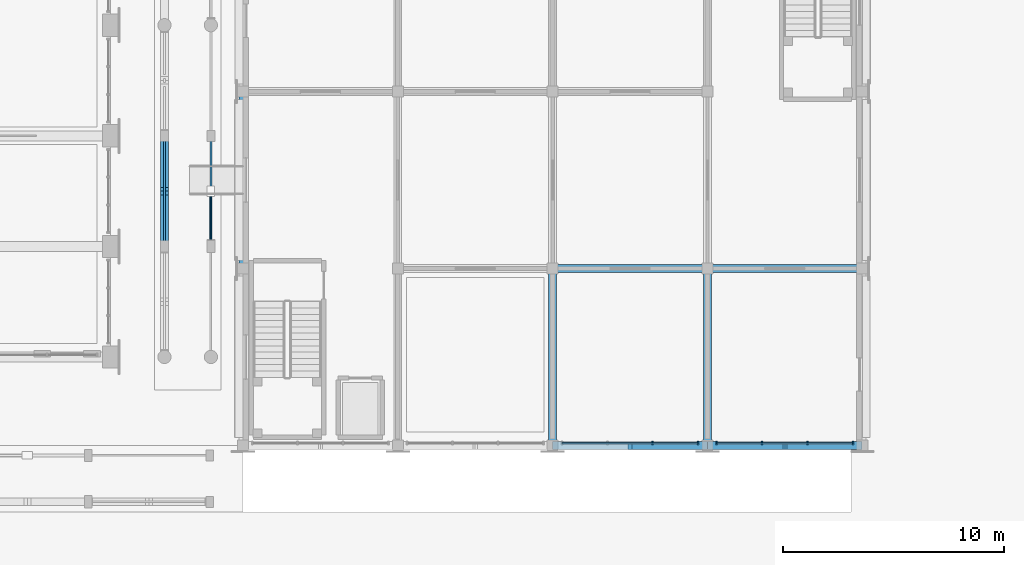
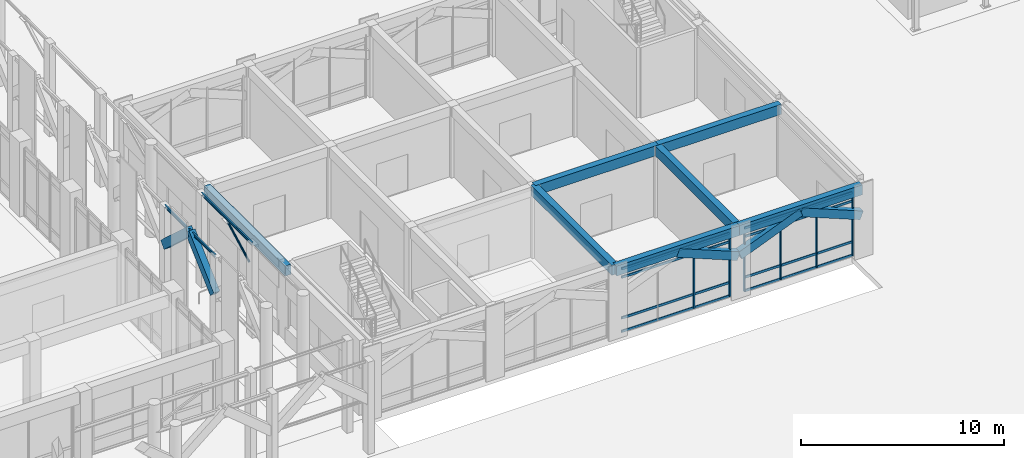
# One storey, part 30 of 135: 15 members, 14 beams, 2 elements without a shape of their own.
"""IFC4 building model written with IfcOpenShell, lengths in metres."""

from ifc_helpers import new_model, si_unit, direction, frame, origin, origin_2d, place, context, subcontext, project, spatial, rectangle, hollow_circle, i_section, extrude, material, material_profile, profile_set, type_object, element, aggregate, save


model = new_model("IFC4")

# Units and contexts
model_context = context("Model", 3, precision=1e-05, world=origin(), true_north=direction((0.0, 1.0)))
body_context = subcontext(model_context, "Body", "Model", "MODEL_VIEW")
ifc_project = project(units=[si_unit("LENGTHUNIT", "METRE"), si_unit("AREAUNIT", "SQUARE_METRE"), si_unit("VOLUMEUNIT", "CUBIC_METRE"), si_unit("PLANEANGLEUNIT", "RADIAN"), si_unit("MASSUNIT", "GRAM", prefix="KILO")], contexts=[model_context])

# Site, building, storey
site_placement = place(None, origin())
site = spatial("IfcSite", under=ifc_project, at=site_placement, CompositionType="ELEMENT")
building_placement = place(site_placement, origin())
building = spatial("IfcBuilding", under=site, at=building_placement, Name="Kiranvali Square Residences", CompositionType="ELEMENT")
storey_placement = place(building_placement, origin())
storey = spatial("IfcBuildingStorey", under=building, at=storey_placement, Name="L00", CompositionType="ELEMENT", Elevation=0.0)

# Beams
ifc_material_1 = material(Name="Concrete M40 (40 MPa)", Category="concrete")
ifc_material_profile_1 = material_profile(ifc_material_1, rectangle(XDim=0.35009765625, YDim=0.5, at=origin_2d()), Name="RC 350x500")
ifc_profile_set_1 = profile_set([ifc_material_profile_1], Name="Concrete M40 (40 MPa)")
beam_type_1 = type_object("IfcBeamType", Name="AR-M40-350x500", PredefinedType="USERDEFINED", material=ifc_profile_set_1)
for number, where, z_axis, x_axis, name in (
    (1, (119.5, 40.0, 3.85009765625), (0.926976058065, 0.0, -0.375120497672), (0.0, 1.0, 0.0), "Classical pointed Ottoman arch rib ARCH-RT-S0-2.2"),
    (2, (123.0400390625, 40.0, 2.449951171875), (0.926976058065, 0.0, 0.375120497672), (0.0, 1.0, 0.0), "Classical pointed Ottoman arch rib ARCH-RT-S0-3.1"),
    (3, (126.5, 40.0, 3.85009765625), (0.926976058065, 0.0, -0.375120497672), (0.0, 1.0, 0.0), "Classical pointed Ottoman arch rib ARCH-RT-S0-3.2"),
):
    element("IfcBeam", number, at=place(storey_placement, frame(where, z_axis=z_axis, x_axis=x_axis)), inside=storey, type_object=beam_type_1, Name=name, ObjectType="ARCH RIB", PredefinedType="USERDEFINED", context=body_context, shape_type="SweptSolid", body=[
        extrude(rectangle(XDim=0.35009765625, YDim=0.5, at=origin_2d()), origin(), (0.0, 0.0, 1.0), 3.732421875),
    ])
for number, where, z_axis, x_axis, name in (
    (4, (98.449951171875, 49.0400390625, 3.199951171875), (0.0, 0.736401324674, 0.676544964521), (-1.0, 0.0, 0.0), "Classical pointed Ottoman arch rib ARCH-ARC-GDN-E-02.1"),
    (5, (98.449951171875, 51.5, 5.4599609375), (0.0, 0.736401324674, -0.676544964521), (-1.0, 0.0, 0.0), "Classical pointed Ottoman arch rib ARCH-ARC-GDN-E-02.2"),
):
    element("IfcBeam", number, at=place(storey_placement, frame(where, z_axis=z_axis, x_axis=x_axis)), inside=storey, type_object=beam_type_1, Name=name, ObjectType="ARCH RIB", PredefinedType="USERDEFINED", context=body_context, shape_type="SweptSolid", body=[
        extrude(rectangle(XDim=0.35009765625, YDim=0.5, at=origin_2d()), origin(), (0.0, 0.0, 1.0), 3.340576171875),
    ])
ifc_material_profile_2 = material_profile(ifc_material_1, rectangle(XDim=0.35009765625, YDim=0.60009765625, at=origin_2d()), Name="RC 350x600")
ifc_profile_set_2 = profile_set([ifc_material_profile_2], Name="Concrete M40 (40 MPa)")
beam_type_2 = type_object("IfcBeamType", Name="BM-M40-350x600", PredefinedType="BEAM", material=ifc_profile_set_2)
for number, where, z_axis, x_axis, name in (
    (6, (116.0, 40.0, 3.97998046875), (1.0, 0.0, 0.0), (0.0, 1.0, 0.0), "L00 beam BM-RT-L00-X2-0"),
    (7, (123.0, 40.0, 3.97998046875), (1.0, 0.0, 0.0), (0.0, 1.0, 0.0), "L00 beam BM-RT-L00-X3-0"),
    (8, (116.0, 48.0, 3.97998046875), (1.0, 0.0, 0.0), (0.0, 1.0, 0.0), "L00 beam BM-RT-L00-X2-1"),
    (9, (123.0, 48.0, 3.97998046875), (1.0, 0.0, 0.0), (0.0, 1.0, 0.0), "L00 beam BM-RT-L00-X3-1"),
):
    element("IfcBeam", number, at=place(storey_placement, frame(where, z_axis=z_axis, x_axis=x_axis)), inside=storey, type_object=beam_type_2, Name=name, PredefinedType="BEAM", context=body_context, shape_type="SweptSolid", body=[
        extrude(rectangle(XDim=0.35009765625, YDim=0.60009765625, at=origin_2d()), origin(), (0.0, 0.0, 1.0), 7.0),
    ])
for number, where, z_axis, x_axis, name in (
    (10, (102.0, 48.0, 3.97998046875), (0.0, 1.0, 0.0), (-1.0, 0.0, 0.0), "L00 beam BM-RT-L00-Y0-1"),
    (11, (116.0, 40.0, 3.97998046875), (0.0, 1.0, 0.0), (-1.0, 0.0, 0.0), "L00 beam BM-RT-L00-Y2-0"),
    (12, (123.0, 40.0, 3.97998046875), (0.0, 1.0, 0.0), (-1.0, 0.0, 0.0), "L00 beam BM-RT-L00-Y3-0"),
):
    element("IfcBeam", number, at=place(storey_placement, frame(where, z_axis=z_axis, x_axis=x_axis)), inside=storey, type_object=beam_type_2, Name=name, PredefinedType="BEAM", context=body_context, shape_type="SweptSolid", body=[
        extrude(rectangle(XDim=0.35009765625, YDim=0.60009765625, at=origin_2d()), origin(), (0.0, 0.0, 1.0), 8.0),
    ])

# Curtain wall, members
ifc_material_2 = material(Name="Anodised bronze aluminium framing", Category="aluminium")
curtain_wall_type = type_object("IfcCurtainWallType", Name="CW-PAV-GLZ", PredefinedType="USERDEFINED", material=ifc_material_2)
curtain_wall_1_placement = place(storey_placement, origin())
curtain_wall_1 = element("IfcCurtainWall", 13, at=curtain_wall_1_placement, inside=storey, type_object=curtain_wall_type, Name="Southeast Square Retail Pavilion south arcade curtain wall 3", ObjectType="CURTAIN WALL", PredefinedType="USERDEFINED")
ifc_material_profile_3 = material_profile(ifc_material_2, rectangle(XDim=0.06494140625, YDim=0.159912109375, at=origin_2d()), Name="ALU 65x160")
ifc_profile_set_3 = profile_set([ifc_material_profile_3], Name="Anodised bronze aluminium framing")
member_type_1 = type_object("IfcMemberType", Name="CW-MUL-160", PredefinedType="MULLION", material=ifc_profile_set_3)
member_1_placement = place(storey_placement, frame((120.526611328125, 40.10009765625, 0.02001953125), z_axis=(0.0, 0.0, 1.0), x_axis=(1.0, 0.0, 0.0)))
member_1 = element("IfcMember", 14, at=member_1_placement, type_object=member_type_1, Name="CW-RT-S0-2 vertical mullion 3", PredefinedType="MULLION", context=body_context, shape_type="SweptSolid", body=[
    extrude(rectangle(XDim=0.06494140625, YDim=0.159912109375, at=origin_2d()), origin(), (0.0, 0.0, 1.0), 3.81005859375),
])
member_2_placement = place(storey_placement, frame((122.580078125, 40.10009765625, 0.02001953125), z_axis=(0.0, 0.0, 1.0), x_axis=(1.0, 0.0, 0.0)))
member_2 = element("IfcMember", 15, at=member_2_placement, type_object=member_type_1, Name="CW-RT-S0-2 vertical mullion 4", PredefinedType="MULLION", context=body_context, shape_type="SweptSolid", body=[
    extrude(rectangle(XDim=0.06494140625, YDim=0.159912109375, at=origin_2d()), origin(), (0.0, 0.0, 1.0), 3.81005859375),
])

curtain_wall_2_placement = place(storey_placement, origin())
curtain_wall_2 = element("IfcCurtainWall", 16, at=curtain_wall_2_placement, inside=storey, type_object=curtain_wall_type, Name="Southeast Square Retail Pavilion south arcade curtain wall 4", ObjectType="CURTAIN WALL", PredefinedType="USERDEFINED")
member_3_placement = place(storey_placement, frame((123.419921875, 40.10009765625, 0.02001953125), z_axis=(0.0, 0.0, 1.0), x_axis=(1.0, 0.0, 0.0)))
member_3 = element("IfcMember", 17, at=member_3_placement, type_object=member_type_1, Name="CW-RT-S0-3 vertical mullion 1", PredefinedType="MULLION", context=body_context, shape_type="SweptSolid", body=[
    extrude(rectangle(XDim=0.06494140625, YDim=0.159912109375, at=origin_2d()), origin(), (0.0, 0.0, 1.0), 3.81005859375),
])
member_4_placement = place(storey_placement, frame((125.473388671875, 40.10009765625, 0.02001953125), z_axis=(0.0, 0.0, 1.0), x_axis=(1.0, 0.0, 0.0)))
member_4 = element("IfcMember", 18, at=member_4_placement, type_object=member_type_1, Name="CW-RT-S0-3 vertical mullion 2", PredefinedType="MULLION", context=body_context, shape_type="SweptSolid", body=[
    extrude(rectangle(XDim=0.06494140625, YDim=0.159912109375, at=origin_2d()), origin(), (0.0, 0.0, 1.0), 3.81005859375),
])
member_5_placement = place(storey_placement, frame((127.526611328125, 40.10009765625, 0.02001953125), z_axis=(0.0, 0.0, 1.0), x_axis=(1.0, 0.0, 0.0)))
member_5 = element("IfcMember", 19, at=member_5_placement, type_object=member_type_1, Name="CW-RT-S0-3 vertical mullion 3", PredefinedType="MULLION", context=body_context, shape_type="SweptSolid", body=[
    extrude(rectangle(XDim=0.06494140625, YDim=0.159912109375, at=origin_2d()), origin(), (0.0, 0.0, 1.0), 3.81005859375),
])
member_6_placement = place(storey_placement, frame((129.580078125, 40.10009765625, 0.02001953125), z_axis=(0.0, 0.0, 1.0), x_axis=(1.0, 0.0, 0.0)))
member_6 = element("IfcMember", 20, at=member_6_placement, type_object=member_type_1, Name="CW-RT-S0-3 vertical mullion 4", PredefinedType="MULLION", context=body_context, shape_type="SweptSolid", body=[
    extrude(rectangle(XDim=0.06494140625, YDim=0.159912109375, at=origin_2d()), origin(), (0.0, 0.0, 1.0), 3.81005859375),
])

# Member
ifc_material_profile_4 = material_profile(ifc_material_2, rectangle(XDim=0.06494140625, YDim=0.139892578125, at=origin_2d()), Name="ALU 65x140")
ifc_profile_set_4 = profile_set([ifc_material_profile_4], Name="Anodised bronze aluminium framing")
member_type_2 = type_object("IfcMemberType", Name="CW-TRN-140", PredefinedType="MULLION", material=ifc_profile_set_4)
member_7_placement = place(storey_placement, frame((116.429931640625, 40.10009765625, 0.0400390625), z_axis=(1.0, 0.0, 0.0), x_axis=(0.0, 1.0, 0.0)))
member_7 = element("IfcMember", 21, at=member_7_placement, type_object=member_type_2, Name="CW-RT-S0-2 horizontal transom 1", PredefinedType="MULLION", context=body_context, shape_type="SweptSolid", body=[
    extrude(rectangle(XDim=0.06494140625, YDim=0.139892578125, at=origin_2d()), origin(), (0.0, 0.0, 1.0), 6.14013671875),
])

member_8_placement = place(storey_placement, frame((116.429931640625, 40.10009765625, 0.85009765625), z_axis=(1.0, 0.0, 0.0), x_axis=(0.0, 1.0, 0.0)))
member_8 = element("IfcMember", 22, at=member_8_placement, type_object=member_type_2, Name="CW-RT-S0-2 horizontal transom 2", PredefinedType="MULLION", context=body_context, shape_type="SweptSolid", body=[
    extrude(rectangle(XDim=0.06494140625, YDim=0.139892578125, at=origin_2d()), origin(), (0.0, 0.0, 1.0), 6.14013671875),
])

member_9_placement = place(storey_placement, frame((116.429931640625, 40.10009765625, 3.300048828125), z_axis=(1.0, 0.0, 0.0), x_axis=(0.0, 1.0, 0.0)))
member_9 = element("IfcMember", 23, at=member_9_placement, type_object=member_type_2, Name="CW-RT-S0-2 horizontal transom 3", PredefinedType="MULLION", context=body_context, shape_type="SweptSolid", body=[
    extrude(rectangle(XDim=0.06494140625, YDim=0.139892578125, at=origin_2d()), origin(), (0.0, 0.0, 1.0), 6.14013671875),
])

member_10_placement = place(storey_placement, frame((116.429931640625, 40.10009765625, 3.81005859375), z_axis=(1.0, 0.0, 0.0), x_axis=(0.0, 1.0, 0.0)))
member_10 = element("IfcMember", 24, at=member_10_placement, type_object=member_type_2, Name="CW-RT-S0-2 horizontal transom 4", PredefinedType="MULLION", context=body_context, shape_type="SweptSolid", body=[
    extrude(rectangle(XDim=0.06494140625, YDim=0.139892578125, at=origin_2d()), origin(), (0.0, 0.0, 1.0), 6.14013671875),
])

aggregate(curtain_wall_1, [member_1, member_2, member_7, member_8, member_9, member_10])

member_11_placement = place(storey_placement, frame((123.429931640625, 40.10009765625, 0.0400390625), z_axis=(1.0, 0.0, 0.0), x_axis=(0.0, 1.0, 0.0)))
member_11 = element("IfcMember", 25, at=member_11_placement, type_object=member_type_2, Name="CW-RT-S0-3 horizontal transom 1", PredefinedType="MULLION", context=body_context, shape_type="SweptSolid", body=[
    extrude(rectangle(XDim=0.06494140625, YDim=0.139892578125, at=origin_2d()), origin(), (0.0, 0.0, 1.0), 6.14013671875),
])

member_12_placement = place(storey_placement, frame((123.429931640625, 40.10009765625, 0.85009765625), z_axis=(1.0, 0.0, 0.0), x_axis=(0.0, 1.0, 0.0)))
member_12 = element("IfcMember", 26, at=member_12_placement, type_object=member_type_2, Name="CW-RT-S0-3 horizontal transom 2", PredefinedType="MULLION", context=body_context, shape_type="SweptSolid", body=[
    extrude(rectangle(XDim=0.06494140625, YDim=0.139892578125, at=origin_2d()), origin(), (0.0, 0.0, 1.0), 6.14013671875),
])

member_13_placement = place(storey_placement, frame((123.429931640625, 40.10009765625, 3.300048828125), z_axis=(1.0, 0.0, 0.0), x_axis=(0.0, 1.0, 0.0)))
member_13 = element("IfcMember", 27, at=member_13_placement, type_object=member_type_2, Name="CW-RT-S0-3 horizontal transom 3", PredefinedType="MULLION", context=body_context, shape_type="SweptSolid", body=[
    extrude(rectangle(XDim=0.06494140625, YDim=0.139892578125, at=origin_2d()), origin(), (0.0, 0.0, 1.0), 6.14013671875),
])

member_14_placement = place(storey_placement, frame((123.429931640625, 40.10009765625, 3.81005859375), z_axis=(1.0, 0.0, 0.0), x_axis=(0.0, 1.0, 0.0)))
member_14 = element("IfcMember", 28, at=member_14_placement, type_object=member_type_2, Name="CW-RT-S0-3 horizontal transom 4", PredefinedType="MULLION", context=body_context, shape_type="SweptSolid", body=[
    extrude(rectangle(XDim=0.06494140625, YDim=0.139892578125, at=origin_2d()), origin(), (0.0, 0.0, 1.0), 6.14013671875),
])

aggregate(curtain_wall_2, [member_3, member_4, member_5, member_6, member_11, member_12, member_13, member_14])

ifc_material_3 = material(Name="Structural steel E350", Category="steel")
ifc_material_profile_5 = material_profile(ifc_material_3, hollow_circle(Radius=0.05712890625, WallThickness=0.00537109375, at=origin_2d()), Name="CHS 114.3x5.4")
ifc_profile_set_5 = profile_set([ifc_material_profile_5], Name="Structural steel E350")
member_type_3 = type_object("IfcMemberType", Name="MEM-CHS114", PredefinedType="BRACE", material=ifc_profile_set_5)
member_15_placement = place(storey_placement, frame((100.550048828125, 49.31103515625, 4.199951171875), z_axis=(0.0, 0.885403999117, 0.464822286844), x_axis=(-1.0, 0.0, 0.0)))
element("IfcMember", 29, at=member_15_placement, inside=storey, type_object=member_type_3, Name="Colonnade steel knee brace ARC-GDN-E-2", PredefinedType="BRACE", context=body_context, shape_type="SweptSolid", body=[
    extrude(hollow_circle(Radius=0.05712890625, WallThickness=0.00537109375, at=origin_2d()), origin(), (0.0, 0.0, 1.0), 2.47216796875),
])

# Beams
ifc_material_profile_6 = material_profile(ifc_material_3, i_section(OverallWidth=0.0849609375, OverallDepth=0.175048828125, WebThickness=0.005859375, FlangeThickness=0.009033203125, at=origin_2d()), Name="ISMB 175")
ifc_profile_set_6 = profile_set([ifc_material_profile_6], Name="Structural steel E350")
beam_type_3 = type_object("IfcBeamType", Name="SBM-ISMB175", PredefinedType="JOIST", material=ifc_profile_set_6)
for number, where, z_axis, x_axis, name in (
    (30, (98.449951171875, 49.0, 5.472412109375), (0.0, 1.0, 0.0), (-1.0, 0.0, 0.0), "Colonnade entablature steel beam ARC-GDN-E-2"),
    (31, (100.550048828125, 49.0, 5.472412109375), (0.0, 1.0, 0.0), (-1.0, 0.0, 0.0), "Colonnade inner entablature steel beam ARC-GDN-E-2B"),
):
    element("IfcBeam", number, at=place(storey_placement, frame(where, z_axis=z_axis, x_axis=x_axis)), inside=storey, type_object=beam_type_3, Name=name, PredefinedType="JOIST", context=body_context, shape_type="SweptSolid", body=[
        extrude(i_section(OverallWidth=0.0849609375, OverallDepth=0.175048828125, WebThickness=0.005859375, FlangeThickness=0.009033203125, at=origin_2d()), origin(), (0.0, 0.0, 1.0), 5.0),
    ])

save(model, "model.ifc")
